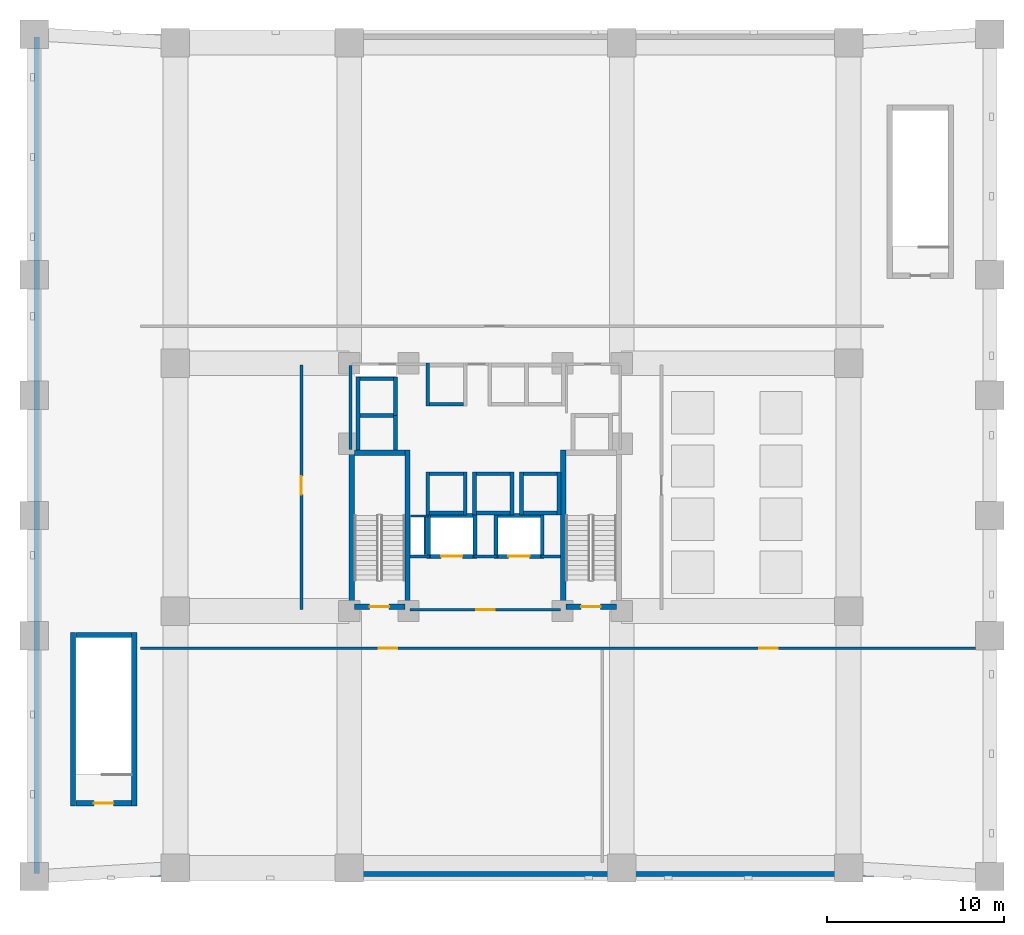
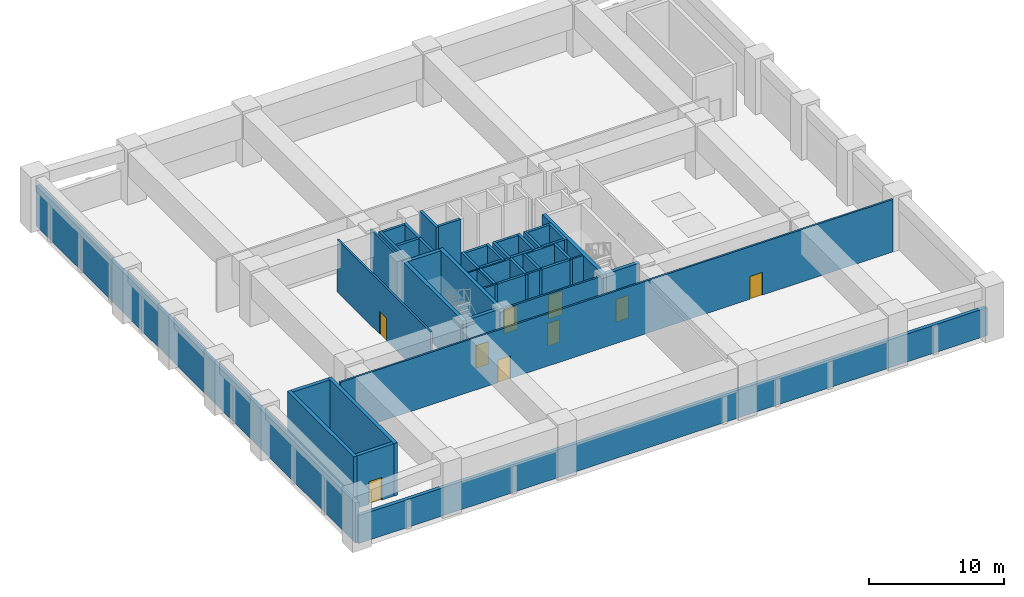
# One storey, part 2 of 6: 48 walls, 9 doors, 9 openings.
"""IFC4 building model written with IfcOpenShell, lengths in metres."""

from ifc_helpers import new_model, si_unit, derived_unit, direction, frame, frame_2d, origin, place, context, subcontext, project, spatial, rectangle, extrude, material, layer, layer_set, type_object, element, fill, save


model = new_model("IFC4")

# Units and contexts
model_context = context("Model", 3, precision=1e-05, world=origin(), true_north=direction((0.0, 1.0)))
body_context = subcontext(model_context, "Body", "Model", "MODEL_VIEW")
ifc_project = project(units=[si_unit("LENGTHUNIT", "METRE"), si_unit("AREAUNIT", "SQUARE_METRE"), si_unit("VOLUMEUNIT", "CUBIC_METRE"), si_unit("PLANEANGLEUNIT", "RADIAN"), si_unit("MASSUNIT", "GRAM", prefix="KILO"), derived_unit("THERMALTRANSMITTANCEUNIT", [(si_unit("MASSUNIT", "GRAM", prefix="KILO"), 1), (si_unit("TIMEUNIT", "SECOND"), -3), (si_unit("THERMODYNAMICTEMPERATUREUNIT", "KELVIN"), -1)])], contexts=[model_context])

# Site, building, storey
site_placement = place(None, origin())
site = spatial("IfcSite", under=ifc_project, at=site_placement, CompositionType="ELEMENT")
building_placement = place(site_placement, origin())
building = spatial("IfcBuilding", under=site, at=building_placement, Name="Korrvale Station Residences", CompositionType="ELEMENT")
storey_placement = place(building_placement, frame((0.0, 0.0, 20.800048828125)))
storey = spatial("IfcBuildingStorey", under=building, at=storey_placement, Name="L04", CompositionType="ELEMENT", Elevation=20.800048828125)

# Walls
ifc_material_1 = material(Name="Concrete C70/85", Category="concrete")
ifc_layer_1 = layer(ifc_material_1, 0.300048828125, Name="Concrete C70/85")
ifc_layer_set_1 = layer_set([ifc_layer_1], Name="Concrete C70/85")
wall_type_1 = type_object("IfcWallType", Name="WAL-CORE-300-C70", PredefinedType="SHEAR", material=ifc_layer_set_1)
for number, where, z_axis, x_axis, name in (
    (1, (17.949951171875, 15.10009765625, 0.0), (0.0, 0.0, 1.0), (0.0, 1.0, 0.0), "L04 ST-1 Core Shear Wall West"),
    (2, (21.10009765625, 15.10009765625, 0.0), (0.0, 0.0, 1.0), (0.0, 1.0, 0.0), "L04 ST-1 Core Shear Wall East"),
):
    element("IfcWall", number, at=place(storey_placement, frame(where, z_axis=z_axis, x_axis=x_axis)), inside=storey, type_object=wall_type_1, Name=name, PredefinedType="SHEAR", context=body_context, shape_type="SweptSolid", body=[
        extrude(rectangle(XDim=9.0, YDim=0.300048828125, at=frame_2d((4.5, 0.0))), origin(), (0.0, 0.0, 1.0), 4.739990234375),
    ])
wall_1_placement = place(storey_placement, frame((18.10009765625, 23.949951171875, 0.0), z_axis=(0.0, 0.0, 1.0), x_axis=(1.0, 0.0, 0.0)))
element("IfcWall", 3, at=wall_1_placement, inside=storey, type_object=wall_type_1, Name="L04 ST-1 Core Shear Wall North", PredefinedType="SHEAR", context=body_context, shape_type="SweptSolid", body=[
    extrude(rectangle(XDim=2.849853515625, YDim=0.300048828125, at=frame_2d((1.4248046875, 0.0))), origin(), (0.0, 0.0, 1.0), 4.739990234375),
])

# Wall, opening, door
wall_2_placement = place(storey_placement, frame((18.10009765625, 15.25, 0.0), z_axis=(0.0, 0.0, 1.0), x_axis=(1.0, 0.0, 0.0)))
wall_2 = element("IfcWall", 4, at=wall_2_placement, inside=storey, type_object=wall_type_1, Name="L04 ST-1 Core Shear Wall South", PredefinedType="SHEAR", context=body_context, shape_type="SweptSolid", body=[
    extrude(rectangle(XDim=2.849853515625, YDim=0.300048828125, at=frame_2d((1.4248046875, 0.0))), origin(), (0.0, 0.0, 1.0), 4.739990234375),
])
opening_1_placement = place(wall_2_placement, frame((0.860107421875, 0.0, 0.0)))
opening_1 = element("IfcOpeningElement", 5, at=opening_1_placement, cuts=wall_2, Name="Opening SD-1100", PredefinedType="OPENING", context=body_context, shape_type="SweptSolid", body=[
    extrude(rectangle(XDim=1.10009765625, YDim=2.050048828125, at=frame_2d((0.550048828125, 1.02490234375))), frame((0.0, 0.16015625, 0.0), z_axis=(0.0, -1.0, 0.0), x_axis=(1.0, 0.0, 0.0)), (0.0, 0.0, 1.0), 0.320068359375),
])
ifc_material_2 = material(Name="Hollow-metal fire-rated stair door with closer", Category="steel")
door_type_1 = type_object("IfcDoorType", Name="DR-STAIR-1100", OperationType="NOTDEFINED", PredefinedType="DOOR", material=ifc_material_2)
door_1_placement = place(opening_1_placement, origin())
door_1 = element("IfcDoor", 6, at=door_1_placement, inside=storey, type_object=door_type_1, Name="L04 ST-1 Exit Stair Door", OperationType="SINGLE_SWING_LEFT", OverallHeight=2.050048828125, OverallWidth=1.10009765625, PredefinedType="DOOR", context=body_context, shape_type="SweptSolid", body=[
    extrude(rectangle(XDim=1.10009765625, YDim=2.050048828125, at=frame_2d((0.550048828125, 1.02490234375))), frame((0.0, 0.02490234375, 0.0), z_axis=(0.0, -1.0, 0.0), x_axis=(1.0, 0.0, 0.0)), (0.0, 0.0, 1.0), 0.050048828125),
])
fill(opening_1, door_1)

# Wall
wall_3_placement = place(storey_placement, frame((29.89990234375, 15.10009765625, 0.0), z_axis=(0.0, 0.0, 1.0), x_axis=(0.0, 1.0, 0.0)))
element("IfcWall", 7, at=wall_3_placement, inside=storey, type_object=wall_type_1, Name="L04 ST-2 Core Shear Wall West", PredefinedType="SHEAR", context=body_context, shape_type="SweptSolid", body=[
    extrude(rectangle(XDim=9.0, YDim=0.300048828125, at=frame_2d((4.5, 0.0))), origin(), (0.0, 0.0, 1.0), 4.739990234375),
])

# Wall, opening, door
wall_4_placement = place(storey_placement, frame((30.050048828125, 15.25, 0.0), z_axis=(0.0, 0.0, 1.0), x_axis=(1.0, 0.0, 0.0)))
wall_4 = element("IfcWall", 8, at=wall_4_placement, inside=storey, type_object=wall_type_1, Name="L04 ST-2 Core Shear Wall South", PredefinedType="SHEAR", context=body_context, shape_type="SweptSolid", body=[
    extrude(rectangle(XDim=2.849853515625, YDim=0.300048828125, at=frame_2d((1.4248046875, 0.0))), origin(), (0.0, 0.0, 1.0), 4.739990234375),
])
opening_2_placement = place(wall_4_placement, frame((0.860107421875, 0.0, 0.0)))
opening_2 = element("IfcOpeningElement", 9, at=opening_2_placement, cuts=wall_4, Name="Opening SD-1100", PredefinedType="OPENING", context=body_context, shape_type="SweptSolid", body=[
    extrude(rectangle(XDim=1.10009765625, YDim=2.050048828125, at=frame_2d((0.550048828125, 1.02490234375))), frame((0.0, 0.16015625, 0.0), z_axis=(0.0, -1.0, 0.0), x_axis=(1.0, 0.0, 0.0)), (0.0, 0.0, 1.0), 0.320068359375),
])
door_2_placement = place(opening_2_placement, origin())
door_2 = element("IfcDoor", 10, at=door_2_placement, inside=storey, type_object=door_type_1, Name="L04 ST-2 Exit Stair Door", OperationType="SINGLE_SWING_RIGHT", OverallHeight=2.050048828125, OverallWidth=1.10009765625, PredefinedType="DOOR", context=body_context, shape_type="SweptSolid", body=[
    extrude(rectangle(XDim=1.10009765625, YDim=2.050048828125, at=frame_2d((0.550048828125, 1.02490234375))), frame((0.0, 0.02490234375, 0.0), z_axis=(0.0, -1.0, 0.0), x_axis=(1.0, 0.0, 0.0)), (0.0, 0.0, 1.0), 0.050048828125),
])
fill(opening_2, door_2)

# Walls
for number, where, z_axis, x_axis, name in (
    (11, (2.199951171875, 4.0, 0.0), (0.0, 0.0, 1.0), (0.0, 1.0, 0.0), "L04 ST-3 Core Shear Wall West"),
    (12, (5.64990234375, 4.0, 0.0), (0.0, 0.0, 1.0), (0.0, 1.0, 0.0), "L04 ST-3 Core Shear Wall East"),
):
    element("IfcWall", number, at=place(storey_placement, frame(where, z_axis=z_axis, x_axis=x_axis)), inside=storey, type_object=wall_type_1, Name=name, PredefinedType="SHEAR", context=body_context, shape_type="SweptSolid", body=[
        extrude(rectangle(XDim=9.800048828125, YDim=0.300048828125, at=frame_2d((4.89990234375, 0.0))), origin(), (0.0, 0.0, 1.0), 4.739990234375),
    ])
wall_5_placement = place(storey_placement, frame((2.35009765625, 13.64990234375, 0.0), z_axis=(0.0, 0.0, 1.0), x_axis=(1.0, 0.0, 0.0)))
element("IfcWall", 13, at=wall_5_placement, inside=storey, type_object=wall_type_1, Name="L04 ST-3 Core Shear Wall North", PredefinedType="SHEAR", context=body_context, shape_type="SweptSolid", body=[
    extrude(rectangle(XDim=3.14990234375, YDim=0.300048828125, at=frame_2d((1.574951171875, 0.0))), origin(), (0.0, 0.0, 1.0), 4.739990234375),
])

# Wall, opening, door
wall_6_placement = place(storey_placement, frame((2.35009765625, 4.14990234375, 0.0), z_axis=(0.0, 0.0, 1.0), x_axis=(1.0, 0.0, 0.0)))
wall_6 = element("IfcWall", 14, at=wall_6_placement, inside=storey, type_object=wall_type_1, Name="L04 ST-3 Core Shear Wall South", PredefinedType="SHEAR", context=body_context, shape_type="SweptSolid", body=[
    extrude(rectangle(XDim=3.14990234375, YDim=0.300048828125, at=frame_2d((1.574951171875, 0.0))), origin(), (0.0, 0.0, 1.0), 4.739990234375),
])
opening_3_placement = place(wall_6_placement, frame((1.02001953125, 0.0, 0.0)))
opening_3 = element("IfcOpeningElement", 15, at=opening_3_placement, cuts=wall_6, Name="Opening SD-1100", PredefinedType="OPENING", context=body_context, shape_type="SweptSolid", body=[
    extrude(rectangle(XDim=1.10009765625, YDim=2.050048828125, at=frame_2d((0.550048828125, 1.02490234375))), frame((0.0, 0.16015625, 0.0), z_axis=(0.0, -1.0, 0.0), x_axis=(1.0, 0.0, 0.0)), (0.0, 0.0, 1.0), 0.320068359375),
])
door_3_placement = place(opening_3_placement, origin())
door_3 = element("IfcDoor", 16, at=door_3_placement, inside=storey, type_object=door_type_1, Name="L04 ST-3 Exit Stair Door", OperationType="SINGLE_SWING_LEFT", OverallHeight=2.050048828125, OverallWidth=1.10009765625, PredefinedType="DOOR", context=body_context, shape_type="SweptSolid", body=[
    extrude(rectangle(XDim=1.10009765625, YDim=2.050048828125, at=frame_2d((0.550048828125, 1.02490234375))), frame((0.0, 0.02490234375, 0.0), z_axis=(0.0, -1.0, 0.0), x_axis=(1.0, 0.0, 0.0)), (0.0, 0.0, 1.0), 0.050048828125),
])
fill(opening_3, door_3)

# Walls
ifc_material_3 = material(Name="Precast concrete C45/55", Category="concrete")
ifc_layer_2 = layer(ifc_material_3, 0.300048828125, Name="Precast concrete C45/55")
ifc_layer_set_2 = layer_set([ifc_layer_2], Name="Precast concrete C45/55")
wall_type_2 = type_object("IfcWallType", Name="WAL-EXT-PC300", PredefinedType="SOLIDWALL", material=ifc_layer_set_2)
wall_7_placement = place(storey_placement, frame((53.840087890625, 0.14990234375, 0.0), z_axis=(0.0, 0.0, 1.0), x_axis=(-1.0, 0.0, 0.0)))
element("IfcWall", 17, at=wall_7_placement, inside=storey, type_object=wall_type_2, Name="L04 South Exterior Precast Wall 1", PredefinedType="SOLIDWALL", context=body_context, shape_type="SweptSolid", body=[
    extrude(rectangle(XDim=53.68017578125, YDim=0.300048828125, at=frame_2d((26.840087890625, 0.0))), origin(), (0.0, 0.0, 1.0), 2.52490234375),
])
wall_8_placement = place(storey_placement, frame((0.14990234375, 0.159912109375, 0.0), z_axis=(0.0, 0.0, 1.0), x_axis=(0.0, 1.0, 0.0)))
element("IfcWall", 18, at=wall_8_placement, inside=storey, type_object=wall_type_2, Name="L04 West Exterior Precast Wall 1", PredefinedType="SOLIDWALL", context=body_context, shape_type="SweptSolid", body=[
    extrude(rectangle(XDim=47.280029296875, YDim=0.300048828125, at=frame_2d((23.64013671875, 0.0))), origin(), (0.0, 0.0, 1.0), 3.625),
])
ifc_material_4 = material(Name="Acoustic steel-stud gypsum board partition", Category="steel")
ifc_layer_3 = layer(ifc_material_4, 0.1201171875, Name="Acoustic steel-stud gypsum board partition")
ifc_layer_set_3 = layer_set([ifc_layer_3], Name="Acoustic steel-stud gypsum board partition")
wall_type_3 = type_object("IfcWallType", Name="WAL-PART-125", PredefinedType="PARTITIONING", material=ifc_layer_set_3)
wall_9_placement = place(storey_placement, frame((22.080078125, 18.199951171875, 0.0), z_axis=(0.0, 0.0, 1.0), x_axis=(0.0, 1.0, 0.0)))
element("IfcWall", 19, at=wall_9_placement, inside=storey, type_object=wall_type_3, Name="L04 Core Partition CW-RSWT", PredefinedType="PARTITIONING", context=body_context, shape_type="SweptSolid", body=[
    extrude(rectangle(XDim=2.1201171875, YDim=0.1201171875, at=frame_2d((1.06005859375, 0.0))), origin(), (0.0, 0.0, 1.0), 4.739990234375),
])
wall_10_placement = place(storey_placement, frame((22.280029296875, 20.3798828125, 0.0), z_axis=(0.0, 0.0, 1.0), x_axis=(-1.0, 0.0, 0.0)))
element("IfcWall", 20, at=wall_10_placement, inside=storey, type_object=wall_type_3, Name="L04 Core Partition CW-RSWT-N", PredefinedType="PARTITIONING", context=body_context, shape_type="SweptSolid", body=[
    extrude(rectangle(XDim=1.02001953125, YDim=0.1201171875, at=frame_2d((0.510009765625, 0.0))), origin(), (0.0, 0.0, 1.0), 4.739990234375),
])

# Wall, opening, door
ifc_material_5 = material(Name="Fire-rated twin-stud gypsum and mineral wool shaftwall assembly", Category="gypsum")
ifc_layer_4 = layer(ifc_material_5, 0.159912109375, Name="Fire-rated twin-stud gypsum and mineral wool shaftwall assembly")
ifc_layer_set_4 = layer_set([ifc_layer_4], Name="Fire-rated twin-stud gypsum and mineral wool shaftwall assembly")
wall_type_4 = type_object("IfcWallType", Name="WAL-PART-200", PredefinedType="PARTITIONING", material=ifc_layer_set_4)
wall_11_placement = place(storey_placement, frame((21.25, 15.080078125, 0.0), z_axis=(0.0, 0.0, 1.0), x_axis=(1.0, 0.0, 0.0)))
wall_11 = element("IfcWall", 21, at=wall_11_placement, inside=storey, type_object=wall_type_4, Name="L04 Core Partition CW-FFL-S", PredefinedType="PARTITIONING", context=body_context, shape_type="SweptSolid", body=[
    extrude(rectangle(XDim=8.5, YDim=0.159912109375, at=frame_2d((4.25, 0.0))), origin(), (0.0, 0.0, 1.0), 4.739990234375),
])
opening_4_placement = place(wall_11_placement, frame((3.72509765625, 0.0, 0.0)))
opening_4 = element("IfcOpeningElement", 22, at=opening_4_placement, cuts=wall_11, Name="Opening FD-1050", PredefinedType="OPENING", context=body_context, shape_type="SweptSolid", body=[
    extrude(rectangle(XDim=1.050048828125, YDim=2.050048828125, at=frame_2d((0.52490234375, 1.02490234375))), frame((0.0, 0.08984375, 0.0), z_axis=(0.0, -1.0, 0.0), x_axis=(1.0, 0.0, 0.0)), (0.0, 0.0, 1.0), 0.179931640625),
])
ifc_material_6 = material(Name="Fire-rated mineral-core timber lobby door", Category="wood")
door_type_2 = type_object("IfcDoorType", Name="DR-CORE-1050", OperationType="NOTDEFINED", PredefinedType="DOOR", material=ifc_material_6)
door_4_placement = place(opening_4_placement, origin())
door_4 = element("IfcDoor", 23, at=door_4_placement, inside=storey, type_object=door_type_2, Name="L04 Firefighting Lobby Entry Door", OperationType="SINGLE_SWING_RIGHT", OverallHeight=2.050048828125, OverallWidth=1.050048828125, PredefinedType="DOOR", context=body_context, shape_type="SweptSolid", body=[
    extrude(rectangle(XDim=1.050048828125, YDim=2.050048828125, at=frame_2d((0.52490234375, 1.02490234375))), frame((0.0, 0.02490234375, 0.0), z_axis=(0.0, -1.0, 0.0), x_axis=(1.0, 0.0, 0.0)), (0.0, 0.0, 1.0), 0.050048828125),
])
fill(opening_4, door_4)

# Walls
wall_12_placement = place(storey_placement, frame((21.25, 18.080078125, 0.0), z_axis=(0.0, 0.0, 1.0), x_axis=(1.0, 0.0, 0.0)))
element("IfcWall", 24, at=wall_12_placement, inside=storey, type_object=wall_type_4, Name="L04 Core Partition CW-FFL-N1", PredefinedType="PARTITIONING", context=body_context, shape_type="SweptSolid", body=[
    extrude(rectangle(XDim=1.10009765625, YDim=0.159912109375, at=frame_2d((0.550048828125, 0.0))), origin(), (0.0, 0.0, 1.0), 4.739990234375),
])
wall_13_placement = place(storey_placement, frame((24.85009765625, 18.080078125, 0.0), z_axis=(0.0, 0.0, 1.0), x_axis=(1.0, 0.0, 0.0)))
element("IfcWall", 25, at=wall_13_placement, inside=storey, type_object=wall_type_4, Name="L04 Core Partition CW-FFL-N2", PredefinedType="PARTITIONING", context=body_context, shape_type="SweptSolid", body=[
    extrude(rectangle(XDim=1.2998046875, YDim=0.159912109375, at=frame_2d((0.64990234375, 0.0))), origin(), (0.0, 0.0, 1.0), 4.739990234375),
])
wall_14_placement = place(storey_placement, frame((28.64990234375, 18.080078125, 0.0), z_axis=(0.0, 0.0, 1.0), x_axis=(1.0, 0.0, 0.0)))
element("IfcWall", 26, at=wall_14_placement, inside=storey, type_object=wall_type_4, Name="L04 Core Partition CW-FFL-N3", PredefinedType="PARTITIONING", context=body_context, shape_type="SweptSolid", body=[
    extrude(rectangle(XDim=1.10009765625, YDim=0.159912109375, at=frame_2d((0.550048828125, 0.0))), origin(), (0.0, 0.0, 1.0), 4.739990234375),
])
wall_15_placement = place(storey_placement, frame((17.8798828125, 24.1201171875, 0.0), z_axis=(0.0, 0.0, 1.0), x_axis=(0.0, 1.0, 0.0)))
element("IfcWall", 27, at=wall_15_placement, inside=storey, type_object=wall_type_4, Name="L04 Core Partition CW-W-N", PredefinedType="PARTITIONING", context=body_context, shape_type="SweptSolid", body=[
    extrude(rectangle(XDim=4.759765625, YDim=0.159912109375, at=frame_2d((2.3798828125, 0.0))), origin(), (0.0, 0.0, 1.0), 4.739990234375),
])

# Wall, openings, doors
wall_16_placement = place(storey_placement, frame((6.0, 12.89990234375, 0.0), z_axis=(0.0, 0.0, 1.0), x_axis=(1.0, 0.0, 0.0)))
wall_16 = element("IfcWall", 28, at=wall_16_placement, inside=storey, type_object=wall_type_4, Name="L04 Interior Partition W-MS", PredefinedType="PARTITIONING", context=body_context, shape_type="SweptSolid", body=[
    extrude(rectangle(XDim=47.199951171875, YDim=0.159912109375, at=frame_2d((23.60009765625, 0.0))), origin(), (0.0, 0.0, 1.0), 4.739990234375),
])
opening_5_placement = place(wall_16_placement, frame((13.47509765625, 0.0, 0.0)))
opening_5 = element("IfcOpeningElement", 29, at=opening_5_placement, cuts=wall_16, Name="Opening FD-1050", PredefinedType="OPENING", context=body_context, shape_type="SweptSolid", body=[
    extrude(rectangle(XDim=1.050048828125, YDim=2.050048828125, at=frame_2d((0.52490234375, 1.02490234375))), frame((0.0, 0.08984375, 0.0), z_axis=(0.0, -1.0, 0.0), x_axis=(1.0, 0.0, 0.0)), (0.0, 0.0, 1.0), 0.179931640625),
])
opening_6_placement = place(wall_16_placement, frame((34.97509765625, 0.0, 0.0)))
opening_6 = element("IfcOpeningElement", 30, at=opening_6_placement, cuts=wall_16, Name="Opening FD-1050", PredefinedType="OPENING", context=body_context, shape_type="SweptSolid", body=[
    extrude(rectangle(XDim=1.050048828125, YDim=2.050048828125, at=frame_2d((0.52490234375, 1.02490234375))), frame((0.0, 0.08984375, 0.0), z_axis=(0.0, -1.0, 0.0), x_axis=(1.0, 0.0, 0.0)), (0.0, 0.0, 1.0), 0.179931640625),
])
door_5_placement = place(opening_5_placement, origin())
door_5 = element("IfcDoor", 31, at=door_5_placement, inside=storey, type_object=door_type_2, Name="L04 Pump Plant Door", OperationType="SINGLE_SWING_RIGHT", OverallHeight=2.050048828125, OverallWidth=1.050048828125, PredefinedType="DOOR", context=body_context, shape_type="SweptSolid", body=[
    extrude(rectangle(XDim=1.050048828125, YDim=2.050048828125, at=frame_2d((0.52490234375, 1.02490234375))), frame((0.0, 0.02490234375, 0.0), z_axis=(0.0, -1.0, 0.0), x_axis=(1.0, 0.0, 0.0)), (0.0, 0.0, 1.0), 0.050048828125),
])
fill(opening_5, door_5)
door_6_placement = place(opening_6_placement, origin())
door_6 = element("IfcDoor", 32, at=door_6_placement, inside=storey, type_object=door_type_2, Name="L04 Switchgear Room Door", OperationType="SINGLE_SWING_LEFT", OverallHeight=2.050048828125, OverallWidth=1.050048828125, PredefinedType="DOOR", context=body_context, shape_type="SweptSolid", body=[
    extrude(rectangle(XDim=1.050048828125, YDim=2.050048828125, at=frame_2d((0.52490234375, 1.02490234375))), frame((0.0, 0.02490234375, 0.0), z_axis=(0.0, -1.0, 0.0), x_axis=(1.0, 0.0, 0.0)), (0.0, 0.0, 1.0), 0.050048828125),
])
fill(opening_6, door_6)

# Wall, opening, door
wall_17_placement = place(storey_placement, frame((15.10009765625, 15.10009765625, 0.0), z_axis=(0.0, 0.0, 1.0), x_axis=(0.0, 1.0, 0.0)))
wall_17 = element("IfcWall", 33, at=wall_17_placement, inside=storey, type_object=wall_type_4, Name="L04 Interior Partition W-MW", PredefinedType="PARTITIONING", context=body_context, shape_type="SweptSolid", body=[
    extrude(rectangle(XDim=13.7998046875, YDim=0.159912109375, at=frame_2d((6.89990234375, 0.0))), origin(), (0.0, 0.0, 1.0), 4.739990234375),
])
opening_7_placement = place(wall_17_placement, frame((6.47509765625, 0.0, 0.0)))
opening_7 = element("IfcOpeningElement", 34, at=opening_7_placement, cuts=wall_17, Name="Opening FD-1050", PredefinedType="OPENING", context=body_context, shape_type="SweptSolid", body=[
    extrude(rectangle(XDim=1.050048828125, YDim=2.050048828125, at=frame_2d((0.52490234375, 1.02490234375))), frame((0.0, 0.08984375, 0.0), z_axis=(0.0, -1.0, 0.0), x_axis=(1.0, 0.0, 0.0)), (0.0, 0.0, 1.0), 0.179931640625),
])
door_7_placement = place(opening_7_placement, origin())
door_7 = element("IfcDoor", 35, at=door_7_placement, inside=storey, type_object=door_type_2, Name="L04 Telecom MDF Room Door", OperationType="SINGLE_SWING_LEFT", OverallHeight=2.050048828125, OverallWidth=1.050048828125, PredefinedType="DOOR", context=body_context, shape_type="SweptSolid", body=[
    extrude(rectangle(XDim=1.050048828125, YDim=2.050048828125, at=frame_2d((0.52490234375, 1.02490234375))), frame((0.0, 0.02490234375, 0.0), z_axis=(0.0, -1.0, 0.0), x_axis=(1.0, 0.0, 0.0)), (0.0, 0.0, 1.0), 0.050048828125),
])
fill(opening_7, door_7)

# Walls
ifc_layer_5 = layer(ifc_material_1, 0.219970703125, Name="Concrete C70/85")
ifc_layer_set_5 = layer_set([ifc_layer_5], Name="Concrete C70/85")
wall_type_5 = type_object("IfcWallType", Name="WAL-SHAFT-220-C70", PredefinedType="SHEAR", material=ifc_layer_set_5)
wall_18_placement = place(storey_placement, frame((22.35009765625, 26.68994140625, 0.0), z_axis=(0.0, 0.0, 1.0), x_axis=(1.0, 0.0, 0.0)))
element("IfcWall", 36, at=wall_18_placement, inside=storey, type_object=wall_type_5, Name="L04 Elevator PL-1 Hoistway Wall South", PredefinedType="SHEAR", context=body_context, shape_type="SweptSolid", body=[
    extrude(rectangle(XDim=1.89990234375, YDim=0.219970703125, at=frame_2d((0.949951171875, 0.0))), origin(), (0.0, 0.0, 1.0), 4.739990234375),
])
wall_19_placement = place(storey_placement, frame((22.239990234375, 26.580078125, 0.0), z_axis=(0.0, 0.0, 1.0), x_axis=(0.0, 1.0, 0.0)))
element("IfcWall", 37, at=wall_19_placement, inside=storey, type_object=wall_type_5, Name="L04 Elevator PL-1 Hoistway Wall West", PredefinedType="SHEAR", context=body_context, shape_type="SweptSolid", body=[
    extrude(rectangle(XDim=2.43994140625, YDim=0.219970703125, at=frame_2d((1.219970703125, 0.0))), origin(), (0.0, 0.0, 1.0), 4.739990234375),
])
for number, where, z_axis, x_axis, name in (
    (38, (22.35009765625, 20.5400390625, 0.0), (0.0, 0.0, 1.0), (1.0, 0.0, 0.0), "L04 Elevator PM-1 Hoistway Wall South"),
    (39, (22.35009765625, 22.760009765625, 0.0), (0.0, 0.0, 1.0), (1.0, 0.0, 0.0), "L04 Elevator PM-1 Hoistway Wall North"),
):
    element("IfcWall", number, at=place(storey_placement, frame(where, z_axis=z_axis, x_axis=x_axis)), inside=storey, type_object=wall_type_5, Name=name, PredefinedType="SHEAR", context=body_context, shape_type="SweptSolid", body=[
        extrude(rectangle(XDim=1.89990234375, YDim=0.219970703125, at=frame_2d((0.949951171875, 0.0))), origin(), (0.0, 0.0, 1.0), 4.739990234375),
    ])
for number, where, z_axis, x_axis, name in (
    (40, (22.239990234375, 20.429931640625, 0.0), (0.0, 0.0, 1.0), (0.0, 1.0, 0.0), "L04 Elevator PM-1 Hoistway Wall West"),
    (41, (24.360107421875, 20.429931640625, 0.0), (0.0, 0.0, 1.0), (0.0, 1.0, 0.0), "L04 Elevator PM-1 Hoistway Wall East"),
):
    element("IfcWall", number, at=place(storey_placement, frame(where, z_axis=z_axis, x_axis=x_axis)), inside=storey, type_object=wall_type_5, Name=name, PredefinedType="SHEAR", context=body_context, shape_type="SweptSolid", body=[
        extrude(rectangle(XDim=2.440185546875, YDim=0.219970703125, at=frame_2d((1.22021484375, 0.0))), origin(), (0.0, 0.0, 1.0), 4.739990234375),
    ])
for number, where, z_axis, x_axis, name in (
    (42, (25.0, 20.5400390625, 0.0), (0.0, 0.0, 1.0), (1.0, 0.0, 0.0), "L04 Elevator PM-2 Hoistway Wall South"),
    (43, (25.0, 22.760009765625, 0.0), (0.0, 0.0, 1.0), (1.0, 0.0, 0.0), "L04 Elevator PM-2 Hoistway Wall North"),
):
    element("IfcWall", number, at=place(storey_placement, frame(where, z_axis=z_axis, x_axis=x_axis)), inside=storey, type_object=wall_type_5, Name=name, PredefinedType="SHEAR", context=body_context, shape_type="SweptSolid", body=[
        extrude(rectangle(XDim=1.89990234375, YDim=0.219970703125, at=frame_2d((0.949951171875, 0.0))), origin(), (0.0, 0.0, 1.0), 4.739990234375),
    ])
for number, where, z_axis, x_axis, name in (
    (44, (24.889892578125, 20.429931640625, 0.0), (0.0, 0.0, 1.0), (0.0, 1.0, 0.0), "L04 Elevator PM-2 Hoistway Wall West"),
    (45, (27.010009765625, 20.429931640625, 0.0), (0.0, 0.0, 1.0), (0.0, 1.0, 0.0), "L04 Elevator PM-2 Hoistway Wall East"),
):
    element("IfcWall", number, at=place(storey_placement, frame(where, z_axis=z_axis, x_axis=x_axis)), inside=storey, type_object=wall_type_5, Name=name, PredefinedType="SHEAR", context=body_context, shape_type="SweptSolid", body=[
        extrude(rectangle(XDim=2.440185546875, YDim=0.219970703125, at=frame_2d((1.22021484375, 0.0))), origin(), (0.0, 0.0, 1.0), 4.739990234375),
    ])
for number, where, z_axis, x_axis, name in (
    (46, (27.64990234375, 20.5400390625, 0.0), (0.0, 0.0, 1.0), (1.0, 0.0, 0.0), "L04 Elevator PM-3 Hoistway Wall South"),
    (47, (27.64990234375, 22.760009765625, 0.0), (0.0, 0.0, 1.0), (1.0, 0.0, 0.0), "L04 Elevator PM-3 Hoistway Wall North"),
):
    element("IfcWall", number, at=place(storey_placement, frame(where, z_axis=z_axis, x_axis=x_axis)), inside=storey, type_object=wall_type_5, Name=name, PredefinedType="SHEAR", context=body_context, shape_type="SweptSolid", body=[
        extrude(rectangle(XDim=1.900146484375, YDim=0.219970703125, at=frame_2d((0.9501953125, 0.0))), origin(), (0.0, 0.0, 1.0), 4.739990234375),
    ])
for number, where, z_axis, x_axis, name in (
    (48, (27.5400390625, 20.429931640625, 0.0), (0.0, 0.0, 1.0), (0.0, 1.0, 0.0), "L04 Elevator PM-3 Hoistway Wall West"),
    (49, (29.659912109375, 20.429931640625, 0.0), (0.0, 0.0, 1.0), (0.0, 1.0, 0.0), "L04 Elevator PM-3 Hoistway Wall East"),
):
    element("IfcWall", number, at=place(storey_placement, frame(where, z_axis=z_axis, x_axis=x_axis)), inside=storey, type_object=wall_type_5, Name=name, PredefinedType="SHEAR", context=body_context, shape_type="SweptSolid", body=[
        extrude(rectangle(XDim=2.440185546875, YDim=0.219970703125, at=frame_2d((1.22021484375, 0.0))), origin(), (0.0, 0.0, 1.0), 4.739990234375),
    ])
wall_20_placement = place(storey_placement, frame((18.2900390625, 24.10009765625, 0.0), z_axis=(0.0, 0.0, 1.0), x_axis=(0.0, 1.0, 0.0)))
element("IfcWall", 50, at=wall_20_placement, inside=storey, type_object=wall_type_5, Name="L04 Elevator PH-1 Hoistway Wall West", PredefinedType="SHEAR", context=body_context, shape_type="SweptSolid", body=[
    extrude(rectangle(XDim=4.139892578125, YDim=0.219970703125, at=frame_2d((2.06982421875, 0.0))), origin(), (0.0, 0.0, 1.0), 4.739990234375),
])
wall_21_placement = place(storey_placement, frame((20.409912109375, 24.10009765625, 0.0), z_axis=(0.0, 0.0, 1.0), x_axis=(0.0, 1.0, 0.0)))
element("IfcWall", 51, at=wall_21_placement, inside=storey, type_object=wall_type_5, Name="L04 Elevator PH-1 Hoistway Wall East", PredefinedType="SHEAR", context=body_context, shape_type="SweptSolid", body=[
    extrude(rectangle(XDim=1.9599609375, YDim=0.219970703125, at=frame_2d((0.97998046875, 0.0))), origin(), (0.0, 0.0, 1.0), 4.739990234375),
])
for number, where, z_axis, x_axis, name in (
    (52, (18.39990234375, 26.06005859375, 0.0), (0.0, 0.0, 1.0), (1.0, 0.0, 0.0), "L04 Elevator PH-2 Hoistway Wall South"),
    (53, (18.39990234375, 28.1298828125, 0.0), (0.0, 0.0, 1.0), (1.0, 0.0, 0.0), "L04 Elevator PH-2 Hoistway Wall North"),
):
    element("IfcWall", number, at=place(storey_placement, frame(where, z_axis=z_axis, x_axis=x_axis)), inside=storey, type_object=wall_type_5, Name=name, PredefinedType="SHEAR", context=body_context, shape_type="SweptSolid", body=[
        extrude(rectangle(XDim=1.900146484375, YDim=0.219970703125, at=frame_2d((0.9501953125, 0.0))), origin(), (0.0, 0.0, 1.0), 4.739990234375),
    ])
wall_22_placement = place(storey_placement, frame((20.409912109375, 26.06005859375, 0.0), z_axis=(0.0, 0.0, 1.0), x_axis=(0.0, 1.0, 0.0)))
element("IfcWall", 54, at=wall_22_placement, inside=storey, type_object=wall_type_5, Name="L04 Elevator PH-2 Hoistway Wall East", PredefinedType="SHEAR", context=body_context, shape_type="SweptSolid", body=[
    extrude(rectangle(XDim=2.179931640625, YDim=0.219970703125, at=frame_2d((1.08984375, 0.0))), origin(), (0.0, 0.0, 1.0), 4.739990234375),
])

# Wall, opening, door
wall_23_placement = place(storey_placement, frame((22.39990234375, 18.090087890625, 0.0), z_axis=(0.0, 0.0, 1.0), x_axis=(1.0, 0.0, 0.0)))
wall_23 = element("IfcWall", 55, at=wall_23_placement, inside=storey, type_object=wall_type_5, Name="L04 Elevator FFL-1 Hoistway Wall South", PredefinedType="SHEAR", context=body_context, shape_type="SweptSolid", body=[
    extrude(rectangle(XDim=2.400146484375, YDim=0.219970703125, at=frame_2d((1.2001953125, 0.0))), origin(), (0.0, 0.0, 1.0), 4.739990234375),
])
opening_8_placement = place(wall_23_placement, frame((0.60009765625, 0.0, 0.0)))
opening_8 = element("IfcOpeningElement", 56, at=opening_8_placement, cuts=wall_23, Name="Opening LD-FF1200", PredefinedType="OPENING", context=body_context, shape_type="SweptSolid", body=[
    extrude(rectangle(XDim=1.199951171875, YDim=2.14990234375, at=frame_2d((0.60009765625, 1.074951171875))), frame((0.0, 0.1201171875, 0.0), z_axis=(0.0, -1.0, 0.0), x_axis=(1.0, 0.0, 0.0)), (0.0, 0.0, 1.0), 0.239990234375),
])
ifc_material_7 = material(Name="Stainless-steel firefighter elevator landing sliding door", Category="steel")
door_type_3 = type_object("IfcDoorType", Name="DR-LIFT-FF1200", OperationType="SLIDING_TO_LEFT", PredefinedType="DOOR", material=ifc_material_7)
door_8_placement = place(opening_8_placement, origin())
door_8 = element("IfcDoor", 57, at=door_8_placement, inside=storey, type_object=door_type_3, Name="L04 Elevator FFL-1 Sliding Landing Door", OperationType="SLIDING_TO_LEFT", OverallHeight=2.14990234375, OverallWidth=1.199951171875, PredefinedType="DOOR", context=body_context, shape_type="SweptSolid", body=[
    extrude(rectangle(XDim=1.199951171875, YDim=2.14990234375, at=frame_2d((0.60009765625, 1.074951171875))), frame((0.0, 0.02490234375, 0.0), z_axis=(0.0, -1.0, 0.0), x_axis=(1.0, 0.0, 0.0)), (0.0, 0.0, 1.0), 0.050048828125),
])
fill(opening_8, door_8)

# Walls
wall_24_placement = place(storey_placement, frame((22.39990234375, 20.409912109375, 0.0), z_axis=(0.0, 0.0, 1.0), x_axis=(1.0, 0.0, 0.0)))
element("IfcWall", 58, at=wall_24_placement, inside=storey, type_object=wall_type_5, Name="L04 Elevator FFL-1 Hoistway Wall North", PredefinedType="SHEAR", context=body_context, shape_type="SweptSolid", body=[
    extrude(rectangle(XDim=2.400146484375, YDim=0.219970703125, at=frame_2d((1.2001953125, 0.0))), origin(), (0.0, 0.0, 1.0), 4.739990234375),
])
for number, where, z_axis, x_axis, name in (
    (59, (22.2900390625, 17.97998046875, 0.0), (0.0, 0.0, 1.0), (0.0, 1.0, 0.0), "L04 Elevator FFL-1 Hoistway Wall West"),
    (60, (24.909912109375, 17.97998046875, 0.0), (0.0, 0.0, 1.0), (0.0, 1.0, 0.0), "L04 Elevator FFL-1 Hoistway Wall East"),
):
    element("IfcWall", number, at=place(storey_placement, frame(where, z_axis=z_axis, x_axis=x_axis)), inside=storey, type_object=wall_type_5, Name=name, PredefinedType="SHEAR", context=body_context, shape_type="SweptSolid", body=[
        extrude(rectangle(XDim=2.5400390625, YDim=0.219970703125, at=frame_2d((1.27001953125, 0.0))), origin(), (0.0, 0.0, 1.0), 4.739990234375),
    ])

# Wall, opening, door
wall_25_placement = place(storey_placement, frame((26.199951171875, 18.090087890625, 0.0), z_axis=(0.0, 0.0, 1.0), x_axis=(1.0, 0.0, 0.0)))
wall_25 = element("IfcWall", 61, at=wall_25_placement, inside=storey, type_object=wall_type_5, Name="L04 Elevator FFL-2 Hoistway Wall South", PredefinedType="SHEAR", context=body_context, shape_type="SweptSolid", body=[
    extrude(rectangle(XDim=2.400146484375, YDim=0.219970703125, at=frame_2d((1.2001953125, 0.0))), origin(), (0.0, 0.0, 1.0), 4.739990234375),
])
opening_9_placement = place(wall_25_placement, frame((0.60009765625, 0.0, 0.0)))
opening_9 = element("IfcOpeningElement", 62, at=opening_9_placement, cuts=wall_25, Name="Opening LD-FF1200", PredefinedType="OPENING", context=body_context, shape_type="SweptSolid", body=[
    extrude(rectangle(XDim=1.199951171875, YDim=2.14990234375, at=frame_2d((0.60009765625, 1.074951171875))), frame((0.0, 0.1201171875, 0.0), z_axis=(0.0, -1.0, 0.0), x_axis=(1.0, 0.0, 0.0)), (0.0, 0.0, 1.0), 0.239990234375),
])
door_9_placement = place(opening_9_placement, origin())
door_9 = element("IfcDoor", 63, at=door_9_placement, inside=storey, type_object=door_type_3, Name="L04 Elevator FFL-2 Sliding Landing Door", OperationType="SLIDING_TO_LEFT", OverallHeight=2.14990234375, OverallWidth=1.199951171875, PredefinedType="DOOR", context=body_context, shape_type="SweptSolid", body=[
    extrude(rectangle(XDim=1.199951171875, YDim=2.14990234375, at=frame_2d((0.60009765625, 1.074951171875))), frame((0.0, 0.02490234375, 0.0), z_axis=(0.0, -1.0, 0.0), x_axis=(1.0, 0.0, 0.0)), (0.0, 0.0, 1.0), 0.050048828125),
])
fill(opening_9, door_9)

# Walls
wall_26_placement = place(storey_placement, frame((26.199951171875, 20.409912109375, 0.0), z_axis=(0.0, 0.0, 1.0), x_axis=(1.0, 0.0, 0.0)))
element("IfcWall", 64, at=wall_26_placement, inside=storey, type_object=wall_type_5, Name="L04 Elevator FFL-2 Hoistway Wall North", PredefinedType="SHEAR", context=body_context, shape_type="SweptSolid", body=[
    extrude(rectangle(XDim=2.400146484375, YDim=0.219970703125, at=frame_2d((1.2001953125, 0.0))), origin(), (0.0, 0.0, 1.0), 4.739990234375),
])
for number, where, z_axis, x_axis, name in (
    (65, (26.090087890625, 17.97998046875, 0.0), (0.0, 0.0, 1.0), (0.0, 1.0, 0.0), "L04 Elevator FFL-2 Hoistway Wall West"),
    (66, (28.7099609375, 17.97998046875, 0.0), (0.0, 0.0, 1.0), (0.0, 1.0, 0.0), "L04 Elevator FFL-2 Hoistway Wall East"),
):
    element("IfcWall", number, at=place(storey_placement, frame(where, z_axis=z_axis, x_axis=x_axis)), inside=storey, type_object=wall_type_5, Name=name, PredefinedType="SHEAR", context=body_context, shape_type="SweptSolid", body=[
        extrude(rectangle(XDim=2.5400390625, YDim=0.219970703125, at=frame_2d((1.27001953125, 0.0))), origin(), (0.0, 0.0, 1.0), 4.739990234375),
    ])

save(model, "model.ifc")
